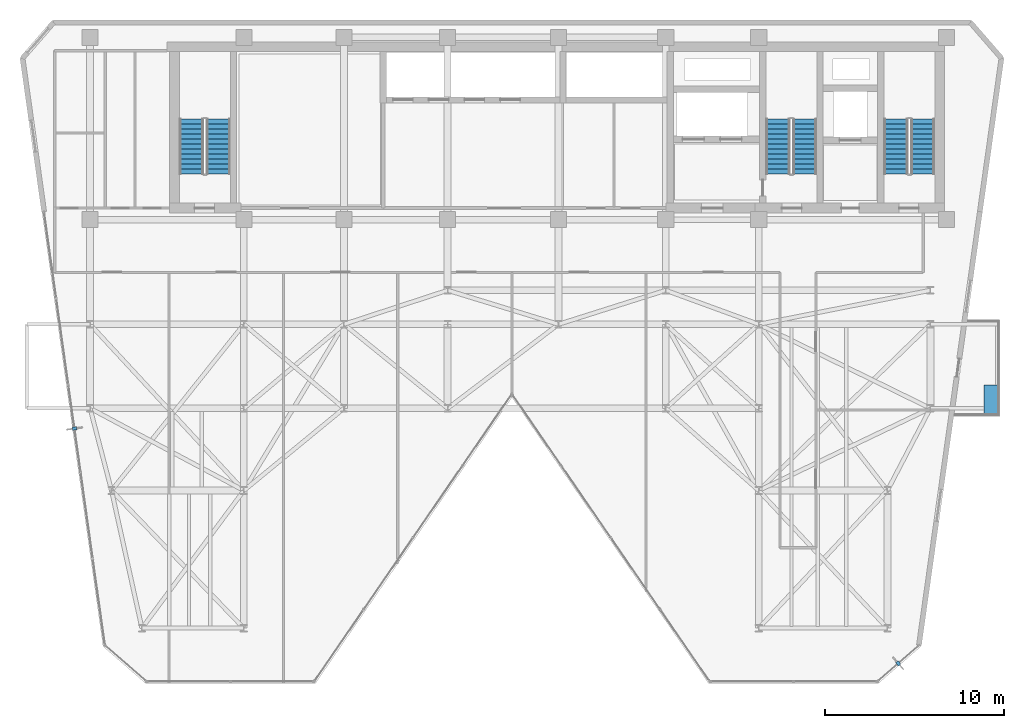
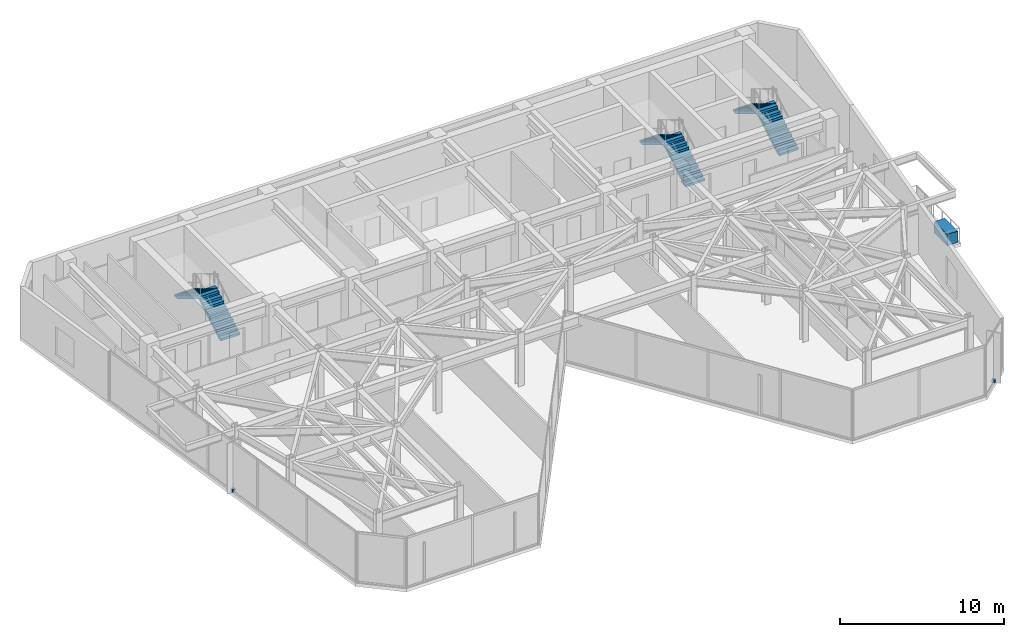
# One storey, part 24 of 26: 6 stair flights, 3 discrete accessories, 3 elements without a shape of their own.
"""IFC4 building model written with IfcOpenShell, lengths in metres."""

from ifc_helpers import new_model, si_unit, direction, frame, origin, origin_2d, place, context, subcontext, project, spatial, polyline, rectangle, outline, extrude, material, layer, layer_set, type_object, element, aggregate, save


model = new_model("IFC4")

# Units and contexts
model_context = context("Model", 3, precision=1e-05, world=origin(), true_north=direction((0.0, 1.0)))
body_context = subcontext(model_context, "Body", "Model", "MODEL_VIEW")
ifc_project = project(units=[si_unit("LENGTHUNIT", "METRE"), si_unit("AREAUNIT", "SQUARE_METRE"), si_unit("VOLUMEUNIT", "CUBIC_METRE"), si_unit("PLANEANGLEUNIT", "RADIAN"), si_unit("MASSUNIT", "GRAM", prefix="KILO")], contexts=[model_context])

# Site, building, storey
site_placement = place(None, origin())
site = spatial("IfcSite", under=ifc_project, at=site_placement, CompositionType="ELEMENT")
building_placement = place(site_placement, origin())
building = spatial("IfcBuilding", under=site, at=building_placement, Name="Kravanh Interchange Tower", CompositionType="ELEMENT")
storey_placement = place(building_placement, frame((0.0, 0.0, 180.5)))
storey = spatial("IfcBuildingStorey", under=building, at=storey_placement, Name="L43", CompositionType="ELEMENT", Elevation=180.5)

# Stair, stair flights
ifc_material_1 = material(Name="Concrete C50/60", Category="concrete")
stair_type = type_object("IfcStairType", Name="Core Fire Exit Dogleg Stair Concrete C50/60", PredefinedType="HALF_TURN_STAIR", material=ifc_material_1)
stair_1_placement = place(storey_placement, origin())
stair_1 = element("IfcStair", 1, at=stair_1_placement, inside=storey, type_object=stair_type, Name="L43 Exit Stair ST1", PredefinedType="HALF_TURN_STAIR")
ifc_material_2 = material(Name="Precast Concrete C50/60", Category="concrete")
ifc_layer = layer(ifc_material_2, 0.199951171875)
ifc_layer_set = layer_set([ifc_layer], Name="Precast Concrete C50/60 Stair Flight 1350mm")
stair_flight_type = type_object("IfcStairFlightType", Name="Precast Concrete C50/60 Stair Flight 1350mm", PredefinedType="STRAIGHT", material=ifc_layer_set)
stair_flight_1_placement = place(storey_placement, frame((65.175048828125, 39.89990234375, 0.0), z_axis=(0.0, 0.0, 1.0), x_axis=(0.0, 1.0, 0.0)))
stair_flight_1 = element("IfcStairFlight", 2, at=stair_flight_1_placement, type_object=stair_flight_type, Name="ST1 flight 1", NumberOfRisers=12, NumberOfTreads=11, PredefinedType="STRAIGHT", RiserHeight=0.166666667, TreadLength=0.28, context=body_context, shape_type="SweptSolid", body=[
    extrude(outline(polyline([(0.0, 0.0), (0.0, 0.166748046875), (0.280029296875, 0.166748046875), (0.280029296875, 0.333251953125), (0.56005859375, 0.333251953125), (0.56005859375, 0.5), (0.840087890625, 0.5), (0.840087890625, 0.666748046875), (1.1201171875, 0.666748046875), (1.1201171875, 0.833251953125), (1.39990234375, 0.833251953125), (1.39990234375, 1.0), (1.679931640625, 1.0), (1.679931640625, 1.166748046875), (1.9599609375, 1.166748046875), (1.9599609375, 1.333251953125), (2.239990234375, 1.333251953125), (2.239990234375, 1.5), (2.52001953125, 1.5), (2.52001953125, 1.666748046875), (2.800048828125, 1.666748046875), (2.800048828125, 1.833251953125), (3.080078125, 1.833251953125), (3.080078125, 2.0), (3.080078125, 1.658935546875), (0.29296875, 0.0), (0.0, 0.0)])), frame((0.0, 0.675048828125, 0.0), z_axis=(0.0, -1.0, 0.0), x_axis=(1.0, 0.0, 0.0)), (0.0, 0.0, 1.0), 1.35009765625),
])
stair_flight_2_placement = place(storey_placement, frame((63.675048828125, 42.97998046875, 2.0), z_axis=(0.0, 0.0, 1.0), x_axis=(0.0, -1.0, 0.0)))
stair_flight_2 = element("IfcStairFlight", 3, at=stair_flight_2_placement, type_object=stair_flight_type, Name="ST1 flight 2", NumberOfRisers=12, NumberOfTreads=11, PredefinedType="STRAIGHT", RiserHeight=0.166666667, TreadLength=0.28, context=body_context, shape_type="SweptSolid", body=[
    extrude(outline(polyline([(0.0, 0.0), (0.0, 0.166748046875), (0.280029296875, 0.166748046875), (0.280029296875, 0.333251953125), (0.56005859375, 0.333251953125), (0.56005859375, 0.5), (0.840087890625, 0.5), (0.840087890625, 0.666748046875), (1.1201171875, 0.666748046875), (1.1201171875, 0.833251953125), (1.39990234375, 0.833251953125), (1.39990234375, 1.0), (1.679931640625, 1.0), (1.679931640625, 1.166748046875), (1.9599609375, 1.166748046875), (1.9599609375, 1.333251953125), (2.239990234375, 1.333251953125), (2.239990234375, 1.5), (2.52001953125, 1.5), (2.52001953125, 1.666748046875), (2.800048828125, 1.666748046875), (2.800048828125, 1.833251953125), (3.080078125, 1.833251953125), (3.080078125, 2.0), (3.080078125, 1.658935546875), (0.29296875, 0.0), (0.0, 0.0)])), frame((0.0, 0.675048828125, 0.0), z_axis=(0.0, -1.0, 0.0), x_axis=(1.0, 0.0, 0.0)), (0.0, 0.0, 1.0), 1.35009765625),
])
aggregate(stair_1, [stair_flight_1, stair_flight_2])

stair_2_placement = place(storey_placement, origin())
stair_2 = element("IfcStair", 4, at=stair_2_placement, inside=storey, type_object=stair_type, Name="L43 Exit Stair ST2", PredefinedType="HALF_TURN_STAIR")
stair_flight_3_placement = place(storey_placement, frame((58.574951171875, 39.89990234375, 0.0), z_axis=(0.0, 0.0, 1.0), x_axis=(0.0, 1.0, 0.0)))
stair_flight_3 = element("IfcStairFlight", 5, at=stair_flight_3_placement, type_object=stair_flight_type, Name="ST2 flight 1", NumberOfRisers=12, NumberOfTreads=11, PredefinedType="STRAIGHT", RiserHeight=0.166666667, TreadLength=0.28, context=body_context, shape_type="SweptSolid", body=[
    extrude(outline(polyline([(0.0, 0.0), (0.0, 0.166748046875), (0.280029296875, 0.166748046875), (0.280029296875, 0.333251953125), (0.56005859375, 0.333251953125), (0.56005859375, 0.5), (0.840087890625, 0.5), (0.840087890625, 0.666748046875), (1.1201171875, 0.666748046875), (1.1201171875, 0.833251953125), (1.39990234375, 0.833251953125), (1.39990234375, 1.0), (1.679931640625, 1.0), (1.679931640625, 1.166748046875), (1.9599609375, 1.166748046875), (1.9599609375, 1.333251953125), (2.239990234375, 1.333251953125), (2.239990234375, 1.5), (2.52001953125, 1.5), (2.52001953125, 1.666748046875), (2.800048828125, 1.666748046875), (2.800048828125, 1.833251953125), (3.080078125, 1.833251953125), (3.080078125, 2.0), (3.080078125, 1.658935546875), (0.29296875, 0.0), (0.0, 0.0)])), frame((0.0, 0.675048828125, 0.0), z_axis=(0.0, -1.0, 0.0), x_axis=(1.0, 0.0, 0.0)), (0.0, 0.0, 1.0), 1.35009765625),
])
stair_flight_4_placement = place(storey_placement, frame((57.074951171875, 42.97998046875, 2.0), z_axis=(0.0, 0.0, 1.0), x_axis=(0.0, -1.0, 0.0)))
stair_flight_4 = element("IfcStairFlight", 6, at=stair_flight_4_placement, type_object=stair_flight_type, Name="ST2 flight 2", NumberOfRisers=12, NumberOfTreads=11, PredefinedType="STRAIGHT", RiserHeight=0.166666667, TreadLength=0.28, context=body_context, shape_type="SweptSolid", body=[
    extrude(outline(polyline([(0.0, 0.0), (0.0, 0.166748046875), (0.280029296875, 0.166748046875), (0.280029296875, 0.333251953125), (0.56005859375, 0.333251953125), (0.56005859375, 0.5), (0.840087890625, 0.5), (0.840087890625, 0.666748046875), (1.1201171875, 0.666748046875), (1.1201171875, 0.833251953125), (1.39990234375, 0.833251953125), (1.39990234375, 1.0), (1.679931640625, 1.0), (1.679931640625, 1.166748046875), (1.9599609375, 1.166748046875), (1.9599609375, 1.333251953125), (2.239990234375, 1.333251953125), (2.239990234375, 1.5), (2.52001953125, 1.5), (2.52001953125, 1.666748046875), (2.800048828125, 1.666748046875), (2.800048828125, 1.833251953125), (3.080078125, 1.833251953125), (3.080078125, 2.0), (3.080078125, 1.658935546875), (0.29296875, 0.0), (0.0, 0.0)])), frame((0.0, 0.675048828125, 0.0), z_axis=(0.0, -1.0, 0.0), x_axis=(1.0, 0.0, 0.0)), (0.0, 0.0, 1.0), 1.35009765625),
])
aggregate(stair_2, [stair_flight_3, stair_flight_4])

stair_3_placement = place(storey_placement, origin())
stair_3 = element("IfcStair", 7, at=stair_3_placement, inside=storey, type_object=stair_type, Name="L43 Exit Stair ST3", PredefinedType="HALF_TURN_STAIR")
stair_flight_5_placement = place(storey_placement, frame((25.77490234375, 39.89990234375, 0.0), z_axis=(0.0, 0.0, 1.0), x_axis=(0.0, 1.0, 0.0)))
stair_flight_5 = element("IfcStairFlight", 8, at=stair_flight_5_placement, type_object=stair_flight_type, Name="ST3 flight 1", NumberOfRisers=12, NumberOfTreads=11, PredefinedType="STRAIGHT", RiserHeight=0.166666667, TreadLength=0.28, context=body_context, shape_type="SweptSolid", body=[
    extrude(outline(polyline([(0.0, 0.0), (0.0, 0.166748046875), (0.280029296875, 0.166748046875), (0.280029296875, 0.333251953125), (0.56005859375, 0.333251953125), (0.56005859375, 0.5), (0.840087890625, 0.5), (0.840087890625, 0.666748046875), (1.1201171875, 0.666748046875), (1.1201171875, 0.833251953125), (1.39990234375, 0.833251953125), (1.39990234375, 1.0), (1.679931640625, 1.0), (1.679931640625, 1.166748046875), (1.9599609375, 1.166748046875), (1.9599609375, 1.333251953125), (2.239990234375, 1.333251953125), (2.239990234375, 1.5), (2.52001953125, 1.5), (2.52001953125, 1.666748046875), (2.800048828125, 1.666748046875), (2.800048828125, 1.833251953125), (3.080078125, 1.833251953125), (3.080078125, 2.0), (3.080078125, 1.658935546875), (0.29296875, 0.0), (0.0, 0.0)])), frame((0.0, 0.675048828125, 0.0), z_axis=(0.0, -1.0, 0.0), x_axis=(1.0, 0.0, 0.0)), (0.0, 0.0, 1.0), 1.35009765625),
])
stair_flight_6_placement = place(storey_placement, frame((24.27490234375, 42.97998046875, 2.0), z_axis=(0.0, 0.0, 1.0), x_axis=(0.0, -1.0, 0.0)))
stair_flight_6 = element("IfcStairFlight", 9, at=stair_flight_6_placement, type_object=stair_flight_type, Name="ST3 flight 2", NumberOfRisers=12, NumberOfTreads=11, PredefinedType="STRAIGHT", RiserHeight=0.166666667, TreadLength=0.28, context=body_context, shape_type="SweptSolid", body=[
    extrude(outline(polyline([(0.0, 0.0), (0.0, 0.166748046875), (0.280029296875, 0.166748046875), (0.280029296875, 0.333251953125), (0.56005859375, 0.333251953125), (0.56005859375, 0.5), (0.840087890625, 0.5), (0.840087890625, 0.666748046875), (1.1201171875, 0.666748046875), (1.1201171875, 0.833251953125), (1.39990234375, 0.833251953125), (1.39990234375, 1.0), (1.679931640625, 1.0), (1.679931640625, 1.166748046875), (1.9599609375, 1.166748046875), (1.9599609375, 1.333251953125), (2.239990234375, 1.333251953125), (2.239990234375, 1.5), (2.52001953125, 1.5), (2.52001953125, 1.666748046875), (2.800048828125, 1.666748046875), (2.800048828125, 1.833251953125), (3.080078125, 1.833251953125), (3.080078125, 2.0), (3.080078125, 1.658935546875), (0.29296875, 0.0), (0.0, 0.0)])), frame((0.0, 0.675048828125, 0.0), z_axis=(0.0, -1.0, 0.0), x_axis=(1.0, 0.0, 0.0)), (0.0, 0.0, 1.0), 1.35009765625),
])
aggregate(stair_3, [stair_flight_5, stair_flight_6])

# Discrete accessories
ifc_material_3 = material(Name="Stainless Steel 316", Category="steel")
discrete_accessory_type_1 = type_object("IfcDiscreteAccessoryType", Name="Solar Fin Curtain-Wall Mounting Bracket Stainless 316", PredefinedType="BRACKET", material=ifc_material_3)
for number, where, z_axis, x_axis, name in (
    (10, (17.729736328125, 25.67041015625, 0.0), (0.0, 0.0, 1.0), (-0.990268182791, -0.139172289451, 0.0), "L43 Solar Fin Mounting Bracket 1"),
    (11, (63.80322265625, 12.530517578125, 0.0), (0.0, 0.0, 1.0), (0.656059988016, -0.754708746554, 0.0), "L43 Solar Fin Mounting Bracket 2"),
):
    element("IfcDiscreteAccessory", number, at=place(storey_placement, frame(where, z_axis=z_axis, x_axis=x_axis)), inside=storey, type_object=discrete_accessory_type_1, Name=name, PredefinedType="BRACKET", context=body_context, shape_type="SweptSolid", body=[
        extrude(rectangle(XDim=0.239990234375, YDim=0.179931640625, at=origin_2d()), origin(), (0.0, 0.0, 1.0), 0.219970703125),
    ])
ifc_material_4 = material(Name="Architectural GRC Concrete C40/50 with Root Barrier", Category="concrete")
discrete_accessory_type_2 = type_object("IfcDiscreteAccessoryType", Name="Structural Balcony Tree Planter Box Concrete C40/50 1600x750x850", PredefinedType="USERDEFINED", material=ifc_material_4)
discrete_accessory_placement = place(storey_placement, frame((68.969970703125, 27.300048828125, 0.0), z_axis=(0.0, 0.0, 1.0), x_axis=(1.0, 0.0, 0.0)))
element("IfcDiscreteAccessory", 12, at=discrete_accessory_placement, inside=storey, type_object=discrete_accessory_type_2, Name="L43 E Balcony TREE PLANTER", ObjectType="PLANTER", PredefinedType="USERDEFINED", context=body_context, shape_type="SweptSolid", body=[
    extrude(rectangle(XDim=0.75, YDim=1.60009765625, at=origin_2d()), origin(), (0.0, 0.0, 1.0), 0.85009765625),
])

save(model, "model.ifc")
